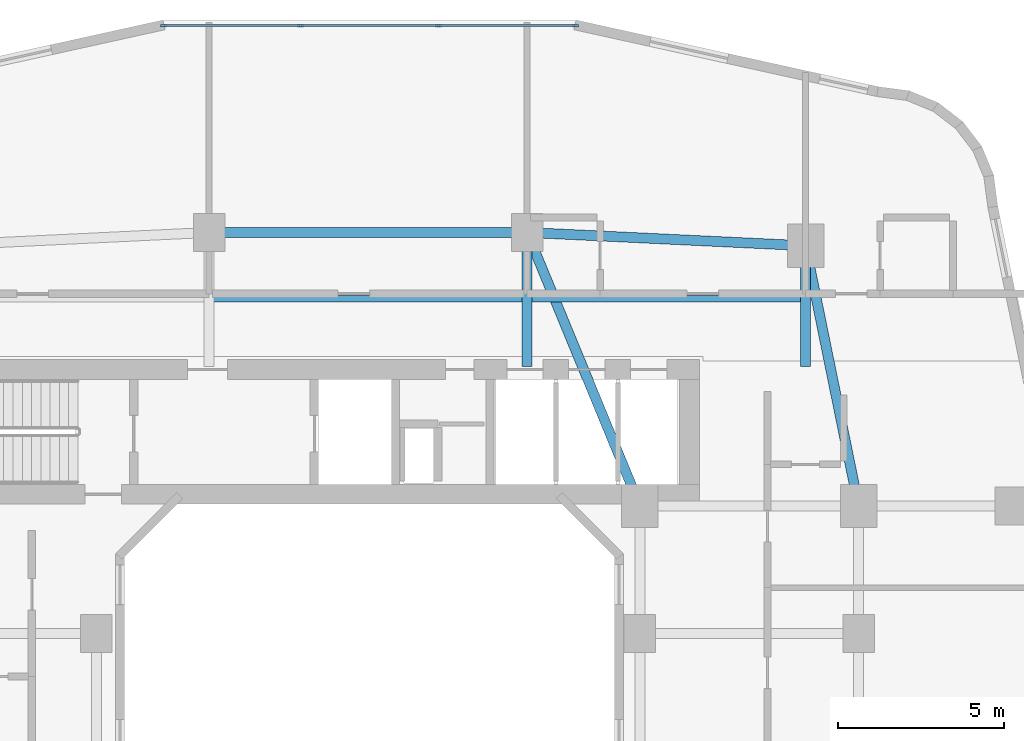
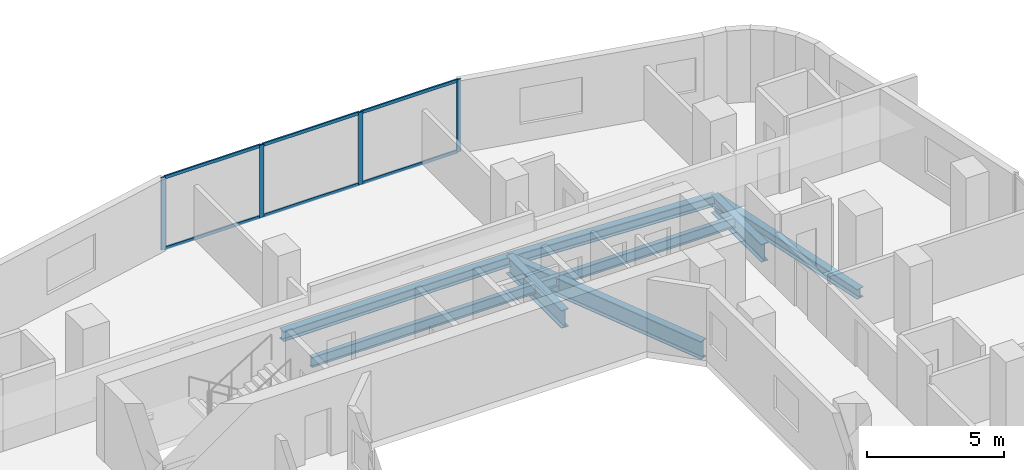
# One storey, part 7 of 27: 10 members, 8 beams, 1 element without a shape of its own.
"""IFC4 building model written with IfcOpenShell, lengths in metres."""

from ifc_helpers import new_model, si_unit, derived_unit, direction, frame, origin, origin_2d, place, context, subcontext, project, spatial, rectangle, i_section, extrude, material, layer, layer_set, material_profile, profile_set, type_object, element, aggregate, save


model = new_model("IFC4")

# Units and contexts
model_context = context("Model", 3, precision=1e-05, world=origin(), true_north=direction((0.0, 1.0)))
body_context = subcontext(model_context, "Body", "Model", "MODEL_VIEW")
ifc_project = project(units=[si_unit("LENGTHUNIT", "METRE"), si_unit("AREAUNIT", "SQUARE_METRE"), si_unit("VOLUMEUNIT", "CUBIC_METRE"), si_unit("PLANEANGLEUNIT", "RADIAN"), si_unit("MASSUNIT", "GRAM", prefix="KILO"), derived_unit("THERMALTRANSMITTANCEUNIT", [(si_unit("POWERUNIT", "WATT"), 1), (si_unit("LENGTHUNIT", "METRE"), -2), (si_unit("THERMODYNAMICTEMPERATUREUNIT", "KELVIN"), -1)])], contexts=[model_context])

# Site, building, storey
site_placement = place(None, origin())
site = spatial("IfcSite", under=ifc_project, at=site_placement, CompositionType="ELEMENT")
building_placement = place(site_placement, origin())
building = spatial("IfcBuilding", under=site, at=building_placement, Name="Kivonza Crest Hotel", CompositionType="ELEMENT")
storey_placement = place(building_placement, frame((0.0, 0.0, 31.0)))
storey = spatial("IfcBuildingStorey", under=building, at=storey_placement, Name="L07", CompositionType="ELEMENT", Elevation=31.0)

# Beams
ifc_material_1 = material(Name="Steel S355", Category="steel")
ifc_material_profile_1 = material_profile(ifc_material_1, i_section(OverallWidth=0.300048828125, OverallDepth=0.449951171875, WebThickness=0.013916015625, FlangeThickness=0.02587890625, FilletRadius=0.027099609375, at=origin_2d()), Name="HEB 450")
ifc_profile_set_1 = profile_set([ifc_material_profile_1], Name="Steel S355")
beam_type_1 = type_object("IfcBeamType", Name="BM-HEB450", PredefinedType="SPANDREL", material=ifc_profile_set_1)
beam_1_placement = place(storey_placement, frame((35.800048828125, 32.35009765625, -0.5048828125), z_axis=(-0.199730733965, 0.979850822273, 0.0), x_axis=(-0.979850822273, -0.199730733965, 0.0)))
element("IfcBeam", 1, at=beam_1_placement, inside=storey, type_object=beam_type_1, Name="Tower T1 L07 perimeter spandrel PNE-NE", PredefinedType="SPANDREL", context=body_context, shape_type="SweptSolid", body=[
    extrude(i_section(OverallWidth=0.300048828125, OverallDepth=0.449951171875, WebThickness=0.013916015625, FlangeThickness=0.02587890625, FilletRadius=0.027099609375, at=origin_2d()), origin(), (0.0, 0.0, 1.0), 8.01123046875),
])
beam_2_placement = place(storey_placement, frame((34.199951171875, 40.199951171875, -0.5048828125), z_axis=(-0.998867283688, 0.047583080799, 0.0), x_axis=(-0.047583080799, -0.998867283688, 0.0)))
element("IfcBeam", 2, at=beam_2_placement, inside=storey, type_object=beam_type_1, Name="Tower T1 L07 perimeter spandrel NE-N2", PredefinedType="SPANDREL", context=body_context, shape_type="SweptSolid", body=[
    extrude(i_section(OverallWidth=0.300048828125, OverallDepth=0.449951171875, WebThickness=0.013916015625, FlangeThickness=0.02587890625, FilletRadius=0.027099609375, at=origin_2d()), origin(), (0.0, 0.0, 1.0), 8.409423828125),
])
beam_3_placement = place(storey_placement, frame((25.800048828125, 40.60009765625, -0.5048828125), z_axis=(-1.0, 0.0, 0.0), x_axis=(0.0, -1.0, 0.0)))
element("IfcBeam", 3, at=beam_3_placement, inside=storey, type_object=beam_type_1, Name="Tower T1 L07 perimeter spandrel N2-N1", PredefinedType="SPANDREL", context=body_context, shape_type="SweptSolid", body=[
    extrude(i_section(OverallWidth=0.300048828125, OverallDepth=0.449951171875, WebThickness=0.013916015625, FlangeThickness=0.02587890625, FilletRadius=0.027099609375, at=origin_2d()), origin(), (0.0, 0.0, 1.0), 9.60009765625),
])
ifc_material_profile_2 = material_profile(ifc_material_1, i_section(OverallWidth=0.300048828125, OverallDepth=0.800048828125, WebThickness=0.017578125, FlangeThickness=0.032958984375, FilletRadius=0.030029296875, at=origin_2d()), Name="HEB 800")
ifc_profile_set_2 = profile_set([ifc_material_profile_2], Name="Steel S355")
beam_type_2 = type_object("IfcBeamType", Name="BM-HEB800", PredefinedType="BEAM", material=ifc_profile_set_2)
beam_4_placement = place(storey_placement, frame((25.800048828125, 40.60009765625, -0.679931640625), z_axis=(0.381022260404, -0.924565864109, 0.0), x_axis=(0.924565864109, 0.381022260404, 0.0)))
element("IfcBeam", 4, at=beam_4_placement, inside=storey, type_object=beam_type_2, Name="Tower T1 L07 primary girder N1-TNE", PredefinedType="BEAM", context=body_context, shape_type="SweptSolid", body=[
    extrude(i_section(OverallWidth=0.300048828125, OverallDepth=0.800048828125, WebThickness=0.017578125, FlangeThickness=0.032958984375, FilletRadius=0.030029296875, at=origin_2d()), origin(), (0.0, 0.0, 1.0), 8.923095703125),
])
beam_5_placement = place(storey_placement, frame((25.800048828125, 40.60009765625, -0.679931640625), z_axis=(0.0, -1.0, 0.0), x_axis=(1.0, 0.0, 0.0)))
element("IfcBeam", 5, at=beam_5_placement, inside=storey, type_object=beam_type_2, Name="Tower T1 L07 radial core girder RN2", PredefinedType="BEAM", context=body_context, shape_type="SweptSolid", body=[
    extrude(i_section(OverallWidth=0.300048828125, OverallDepth=0.800048828125, WebThickness=0.017578125, FlangeThickness=0.032958984375, FilletRadius=0.030029296875, at=origin_2d()), origin(), (0.0, 0.0, 1.0), 4.050048828125),
])
beam_6_placement = place(storey_placement, frame((34.199951171875, 40.199951171875, -0.679931640625), z_axis=(0.0, -1.0, 0.0), x_axis=(1.0, 0.0, 0.0)))
element("IfcBeam", 6, at=beam_6_placement, inside=storey, type_object=beam_type_2, Name="Tower T1 L07 radial core girder RNE", PredefinedType="BEAM", context=body_context, shape_type="SweptSolid", body=[
    extrude(i_section(OverallWidth=0.300048828125, OverallDepth=0.800048828125, WebThickness=0.017578125, FlangeThickness=0.032958984375, FilletRadius=0.030029296875, at=origin_2d()), origin(), (0.0, 0.0, 1.0), 3.64990234375),
])
ifc_material_profile_3 = material_profile(ifc_material_1, i_section(OverallWidth=0.18994140625, OverallDepth=0.449951171875, WebThickness=0.009521484375, FlangeThickness=0.0146484375, FilletRadius=0.02099609375, at=origin_2d()), Name="IPE 450")
ifc_profile_set_3 = profile_set([ifc_material_profile_3], Name="Steel S355")
beam_type_3 = type_object("IfcBeamType", Name="BM-IPE450", PredefinedType="JOIST", material=ifc_profile_set_3)
beam_7_placement = place(storey_placement, frame((16.280029296875, 38.60009765625, -0.5048828125), z_axis=(1.0, 0.0, 0.0), x_axis=(0.0, 1.0, 0.0)))
element("IfcBeam", 7, at=beam_7_placement, inside=storey, type_object=beam_type_3, Name="Tower T1 L07 North-Mid floor joist", PredefinedType="JOIST", context=body_context, shape_type="SweptSolid", body=[
    extrude(i_section(OverallWidth=0.18994140625, OverallDepth=0.449951171875, WebThickness=0.009521484375, FlangeThickness=0.0146484375, FilletRadius=0.02099609375, at=origin_2d()), origin(), (0.0, 0.0, 1.0), 9.43994140625),
])
beam_8_placement = place(storey_placement, frame((25.8798828125, 38.60009765625, -0.5048828125), z_axis=(1.0, 0.0, 0.0), x_axis=(0.0, 1.0, 0.0)))
element("IfcBeam", 8, at=beam_8_placement, inside=storey, type_object=beam_type_3, Name="Tower T1 L07 North-East floor joist", PredefinedType="JOIST", context=body_context, shape_type="SweptSolid", body=[
    extrude(i_section(OverallWidth=0.18994140625, OverallDepth=0.449951171875, WebThickness=0.009521484375, FlangeThickness=0.0146484375, FilletRadius=0.02099609375, at=origin_2d()), origin(), (0.0, 0.0, 1.0), 8.240234375),
])

# Curtain wall, members
ifc_material_2 = material(Name="Anodised bronze aluminium and low-E double glazing", Category="aluminium")
ifc_layer = layer(ifc_material_2, 0.179931640625)
ifc_layer_set = layer_set([ifc_layer], Name="Anodised bronze aluminium and low-E double glazing")
curtain_wall_type = type_object("IfcCurtainWallType", Name="CW-SYS-2", PredefinedType="NOTDEFINED", material=ifc_layer_set)
curtain_wall_placement = place(storey_placement, origin())
curtain_wall = element("IfcCurtainWall", 9, at=curtain_wall_placement, inside=storey, type_object=curtain_wall_type, Name="L07 unitised curtain wall CW-T1-L07-26", PredefinedType="NOTDEFINED")
ifc_material_3 = material(Name="Anodised bronze aluminium", Category="aluminium")
ifc_material_profile_4 = material_profile(ifc_material_3, rectangle(XDim=0.06494140625, YDim=0.179931640625, at=origin_2d()), Name="CW-M 65x180")
ifc_profile_set_4 = profile_set([ifc_material_profile_4], Name="Anodised bronze aluminium")
member_type_1 = type_object("IfcMemberType", Name="CW-MUL-65x180", PredefinedType="MULLION", material=ifc_profile_set_4)
member_1_placement = place(storey_placement, frame((27.255615234375, 46.840087890625, 0.0), z_axis=(0.0, 0.0, 1.0), x_axis=(0.0, -1.0, 0.0)))
member_1 = element("IfcMember", 10, at=member_1_placement, type_object=member_type_1, Name="CW-2 mullion 1", PredefinedType="MULLION", context=body_context, shape_type="SweptSolid", body=[
    extrude(rectangle(XDim=0.06494140625, YDim=0.179931640625, at=origin_2d()), origin(), (0.0, 0.0, 1.0), 3.219970703125),
])
member_2_placement = place(storey_placement, frame((23.12255859375, 46.840087890625, 0.0), z_axis=(0.0, 0.0, 1.0), x_axis=(0.0, -1.0, 0.0)))
member_2 = element("IfcMember", 11, at=member_2_placement, type_object=member_type_1, Name="CW-2 mullion 2", PredefinedType="MULLION", context=body_context, shape_type="SweptSolid", body=[
    extrude(rectangle(XDim=0.06494140625, YDim=0.179931640625, at=origin_2d()), origin(), (0.0, 0.0, 1.0), 3.219970703125),
])
member_3_placement = place(storey_placement, frame((18.957275390625, 46.840087890625, 0.0), z_axis=(0.0, 0.0, 1.0), x_axis=(0.0, -1.0, 0.0)))
member_3 = element("IfcMember", 12, at=member_3_placement, type_object=member_type_1, Name="CW-2 mullion 3", PredefinedType="MULLION", context=body_context, shape_type="SweptSolid", body=[
    extrude(rectangle(XDim=0.06494140625, YDim=0.179931640625, at=origin_2d()), origin(), (0.0, 0.0, 1.0), 3.219970703125),
])
member_4_placement = place(storey_placement, frame((14.824462890625, 46.840087890625, 0.0), z_axis=(0.0, 0.0, 1.0), x_axis=(0.0, -1.0, 0.0)))
member_4 = element("IfcMember", 13, at=member_4_placement, type_object=member_type_1, Name="CW-2 mullion 4", PredefinedType="MULLION", context=body_context, shape_type="SweptSolid", body=[
    extrude(rectangle(XDim=0.06494140625, YDim=0.179931640625, at=origin_2d()), origin(), (0.0, 0.0, 1.0), 3.219970703125),
])
ifc_material_profile_5 = material_profile(ifc_material_3, rectangle(XDim=0.06494140625, YDim=0.139892578125, at=origin_2d()), Name="CW-T 65x140")
ifc_profile_set_5 = profile_set([ifc_material_profile_5], Name="Anodised bronze aluminium")
member_type_2 = type_object("IfcMemberType", Name="CW-TRN-65x140", PredefinedType="USERDEFINED", material=ifc_profile_set_5)
member_5_placement = place(storey_placement, frame((27.222900390625, 46.840087890625, 0.032470703125), z_axis=(-1.0, 0.0, 0.0), x_axis=(0.0, -1.0, 0.0)))
member_5 = element("IfcMember", 14, at=member_5_placement, type_object=member_type_2, Name="CW-2 transom 1.1", ObjectType="TRANSOM", PredefinedType="USERDEFINED", context=body_context, shape_type="SweptSolid", body=[
    extrude(rectangle(XDim=0.06494140625, YDim=0.139892578125, at=origin_2d()), origin(), (0.0, 0.0, 1.0), 4.067626953125),
])
member_6_placement = place(storey_placement, frame((27.222900390625, 46.840087890625, 3.1875), z_axis=(-1.0, 0.0, 0.0), x_axis=(0.0, -1.0, 0.0)))
member_6 = element("IfcMember", 15, at=member_6_placement, type_object=member_type_2, Name="CW-2 transom 1.2", ObjectType="TRANSOM", PredefinedType="USERDEFINED", context=body_context, shape_type="SweptSolid", body=[
    extrude(rectangle(XDim=0.06494140625, YDim=0.139892578125, at=origin_2d()), origin(), (0.0, 0.0, 1.0), 4.067626953125),
])
member_7_placement = place(storey_placement, frame((23.090087890625, 46.840087890625, 0.032470703125), z_axis=(-1.0, 0.0, 0.0), x_axis=(0.0, -1.0, 0.0)))
member_7 = element("IfcMember", 16, at=member_7_placement, type_object=member_type_2, Name="CW-2 transom 2.1", ObjectType="TRANSOM", PredefinedType="USERDEFINED", context=body_context, shape_type="SweptSolid", body=[
    extrude(rectangle(XDim=0.06494140625, YDim=0.139892578125, at=origin_2d()), origin(), (0.0, 0.0, 1.0), 4.100341796875),
])
member_8_placement = place(storey_placement, frame((23.090087890625, 46.840087890625, 3.1875), z_axis=(-1.0, 0.0, 0.0), x_axis=(0.0, -1.0, 0.0)))
member_8 = element("IfcMember", 17, at=member_8_placement, type_object=member_type_2, Name="CW-2 transom 2.2", ObjectType="TRANSOM", PredefinedType="USERDEFINED", context=body_context, shape_type="SweptSolid", body=[
    extrude(rectangle(XDim=0.06494140625, YDim=0.139892578125, at=origin_2d()), origin(), (0.0, 0.0, 1.0), 4.100341796875),
])
member_9_placement = place(storey_placement, frame((18.9248046875, 46.840087890625, 0.032470703125), z_axis=(-1.0, 0.0, 0.0), x_axis=(0.0, -1.0, 0.0)))
member_9 = element("IfcMember", 18, at=member_9_placement, type_object=member_type_2, Name="CW-2 transom 3.1", ObjectType="TRANSOM", PredefinedType="USERDEFINED", context=body_context, shape_type="SweptSolid", body=[
    extrude(rectangle(XDim=0.06494140625, YDim=0.139892578125, at=origin_2d()), origin(), (0.0, 0.0, 1.0), 4.06787109375),
])
member_10_placement = place(storey_placement, frame((18.9248046875, 46.840087890625, 3.1875), z_axis=(-1.0, 0.0, 0.0), x_axis=(0.0, -1.0, 0.0)))
member_10 = element("IfcMember", 19, at=member_10_placement, type_object=member_type_2, Name="CW-2 transom 3.2", ObjectType="TRANSOM", PredefinedType="USERDEFINED", context=body_context, shape_type="SweptSolid", body=[
    extrude(rectangle(XDim=0.06494140625, YDim=0.139892578125, at=origin_2d()), origin(), (0.0, 0.0, 1.0), 4.06787109375),
])
aggregate(curtain_wall, [member_1, member_2, member_3, member_4, member_5, member_6, member_7, member_8, member_9, member_10])

save(model, "model.ifc")
